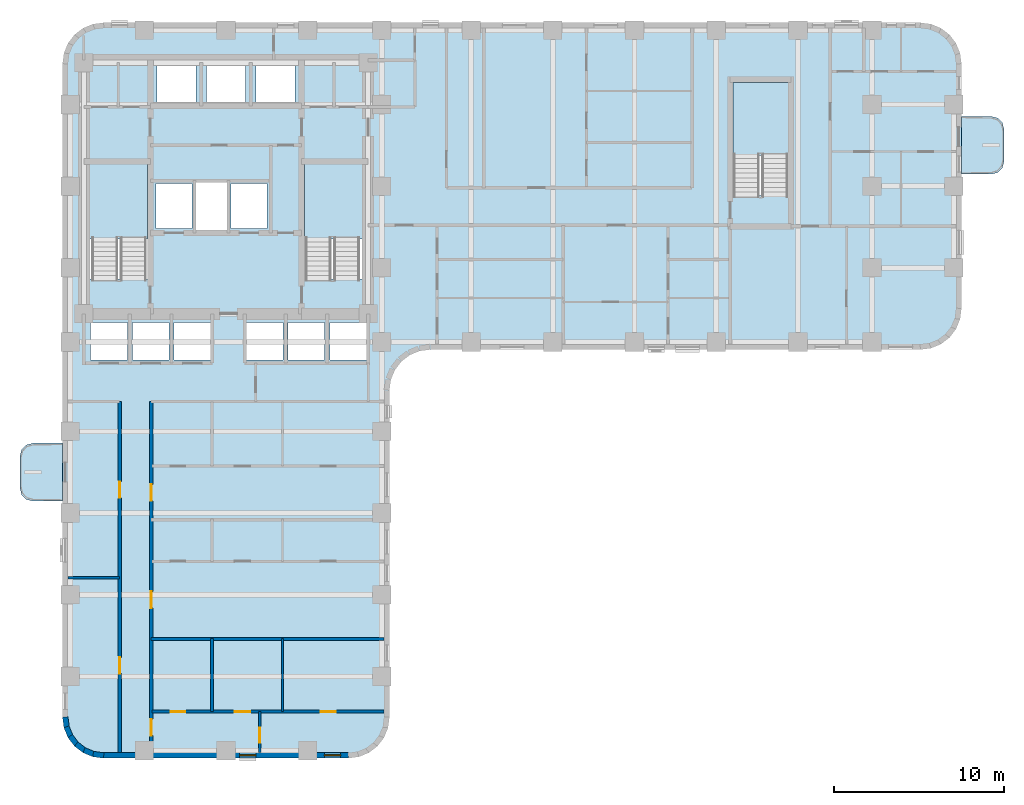
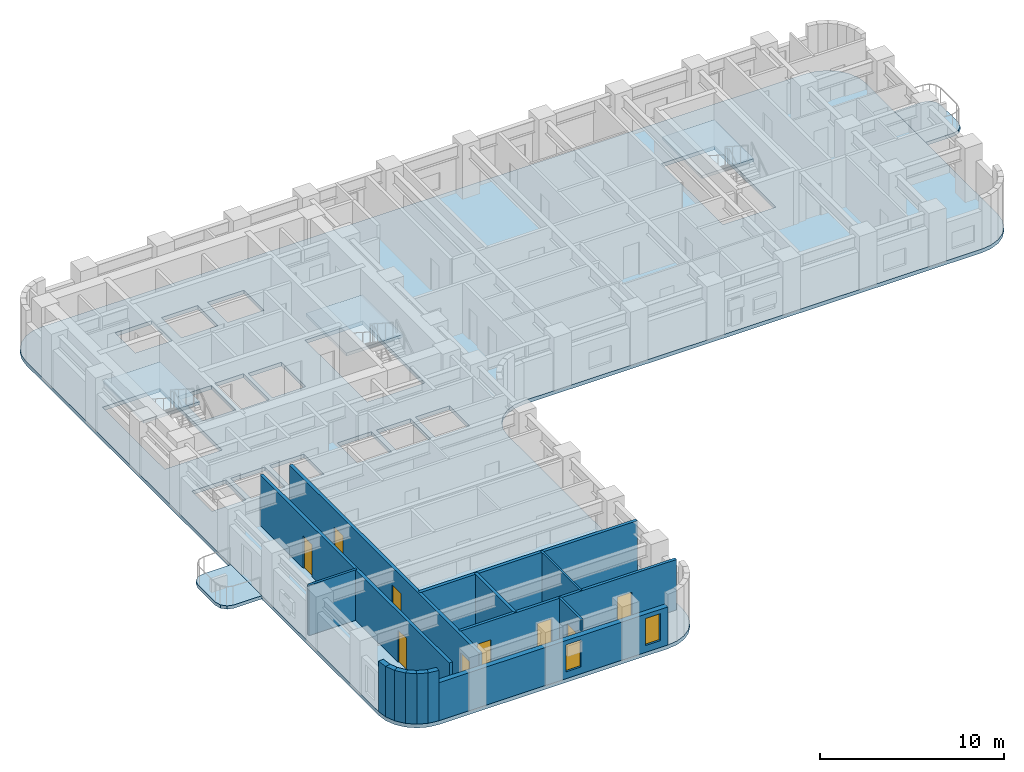
# One storey, part 2 of 10: 15 walls, 9 doors, 6 slabs, 2 windows, 11 openings, 3 elements without a shape of their own.
"""IFC4 building model written with IfcOpenShell, lengths in metres."""

from ifc_helpers import new_model, si_unit, direction, frame, frame_2d, origin, place, context, subcontext, project, spatial, polyline, rectangle, outline, extrude, material, layer, layer_set, type_object, element, fill, aggregate, save


model = new_model("IFC4")

# Units and contexts
model_context = context("Model", 3, precision=1e-05, world=origin(), true_north=direction((0.0, 1.0)))
body_context = subcontext(model_context, "Body", "Model", "MODEL_VIEW")
ifc_project = project(units=[si_unit("LENGTHUNIT", "METRE"), si_unit("AREAUNIT", "SQUARE_METRE"), si_unit("VOLUMEUNIT", "CUBIC_METRE"), si_unit("PLANEANGLEUNIT", "RADIAN"), si_unit("MASSUNIT", "GRAM", prefix="KILO")], contexts=[model_context])

# Site, building, storey
site_placement = place(None, origin())
site = spatial("IfcSite", under=ifc_project, at=site_placement, CompositionType="ELEMENT")
building_placement = place(site_placement, origin())
building = spatial("IfcBuilding", under=site, at=building_placement, Name="Orvandelia Arch Residences", CompositionType="ELEMENT")
storey_placement = place(building_placement, frame((0.0, 0.0, 75.39990234375)))
storey = spatial("IfcBuildingStorey", under=building, at=storey_placement, Name="L19", CompositionType="ELEMENT", Elevation=75.39990234375)

# Slabs
ifc_material_1 = material(Name="Precast concrete C40/50", Category="concrete")
ifc_layer_1 = layer(ifc_material_1, 0.219970703125, Name="Precast concrete C40/50", Category="concrete")
ifc_layer_set_1 = layer_set([ifc_layer_1], Name="Precast concrete C40/50")
slab_type_1 = type_object("IfcSlabType", Name="SLB-BAL-220", PredefinedType="USERDEFINED", material=ifc_layer_set_1)
slab_1_placement = place(storey_placement, frame((0.0, 0.0, -0.219970703125)))
element("IfcSlab", 1, at=slab_1_placement, inside=storey, type_object=slab_type_1, Name="Tree Balcony Cantilever Slab BAL-L19-W1", ObjectType="BALCONY", PredefinedType="USERDEFINED", context=body_context, shape_type="SweptSolid", body=[
    extrude(outline(polyline([(4.800048828125, 19.89990234375), (4.800048828125, 23.300048828125), (3.050048828125, 23.300048828125), (2.675048828125, 23.199462890625), (2.400390625, 22.925048828125), (2.300048828125, 22.550048828125), (2.300048828125, 20.64990234375), (2.400390625, 20.27490234375), (2.675048828125, 20.00048828125), (3.050048828125, 19.89990234375), (4.800048828125, 19.89990234375)])), origin(), (0.0, 0.0, 1.0), 0.219970703125),
])
slab_2_placement = place(storey_placement, frame((0.0, 0.0, -0.219970703125)))
element("IfcSlab", 2, at=slab_2_placement, inside=storey, type_object=slab_type_1, Name="Tree Balcony Cantilever Slab BAL-L19-E1", ObjectType="BALCONY", PredefinedType="USERDEFINED", context=body_context, shape_type="SweptSolid", body=[
    extrude(outline(polyline([(57.60009765625, 42.5), (57.60009765625, 39.10009765625), (59.35009765625, 39.10009765625), (59.72509765625, 39.200439453125), (59.99951171875, 39.47509765625), (60.10009765625, 39.85009765625), (60.10009765625, 41.75), (59.99951171875, 42.125), (59.72509765625, 42.3994140625), (59.35009765625, 42.5), (57.60009765625, 42.5)])), origin(), (0.0, 0.0, 1.0), 0.219970703125),
])

# Stair, slab
ifc_material_2 = material(Name="Concrete C40/50", Category="concrete")
stair_type = type_object("IfcStairType", Name="STAIR-RC-DOGLEG", PredefinedType="HALF_TURN_STAIR", material=ifc_material_2)
stair_1_placement = place(storey_placement, origin())
stair_1 = element("IfcStair", 3, at=stair_1_placement, inside=storey, type_object=stair_type, Name="L19 Protected Exit Stair ST-1", PredefinedType="HALF_TURN_STAIR")
ifc_layer_2 = layer(ifc_material_2, 0.219970703125, Name="Concrete C40/50", Category="concrete")
ifc_layer_set_2 = layer_set([ifc_layer_2], Name="Concrete C40/50")
slab_type_2 = type_object("IfcSlabType", Name="SLB-LANDING-220", PredefinedType="LANDING", material=ifc_layer_set_2)
slab_3_placement = place(storey_placement, frame((0.0, 0.0, 1.60009765625)))
slab_3 = element("IfcSlab", 4, at=slab_3_placement, type_object=slab_type_2, Name="ST-1 landing 1", PredefinedType="LANDING", context=body_context, shape_type="SweptSolid", body=[
    extrude(outline(polyline([(9.800048828125, 35.31005859375), (9.800048828125, 39.68994140625), (6.260009765625, 39.68994140625), (6.260009765625, 35.31005859375), (9.800048828125, 35.31005859375)])), origin(), (0.0, 0.0, 1.0), 0.199951171875),
])
aggregate(stair_1, [slab_3])

stair_2_placement = place(storey_placement, origin())
stair_2 = element("IfcStair", 5, at=stair_2_placement, inside=storey, type_object=stair_type, Name="L19 Protected Exit Stair ST-2", PredefinedType="HALF_TURN_STAIR")
slab_4_placement = place(storey_placement, frame((0.0, 0.0, 1.60009765625)))
slab_4 = element("IfcSlab", 6, at=slab_4_placement, type_object=slab_type_2, Name="ST-2 landing 1", PredefinedType="LANDING", context=body_context, shape_type="SweptSolid", body=[
    extrude(outline(polyline([(22.5400390625, 35.31005859375), (22.5400390625, 39.68994140625), (19.0, 39.68994140625), (19.0, 35.31005859375), (22.5400390625, 35.31005859375)])), origin(), (0.0, 0.0, 1.0), 0.199951171875),
])
aggregate(stair_2, [slab_4])

stair_3_placement = place(storey_placement, origin())
stair_3 = element("IfcStair", 7, at=stair_3_placement, inside=storey, type_object=stair_type, Name="L19 East Wing Exit Stair ST-3", PredefinedType="HALF_TURN_STAIR")
slab_5_placement = place(storey_placement, frame((0.0, 0.0, 1.60009765625)))
slab_5 = element("IfcSlab", 8, at=slab_5_placement, type_object=slab_type_2, Name="ST-3 landing 1", PredefinedType="LANDING", context=body_context, shape_type="SweptSolid", body=[
    extrude(outline(polyline([(47.43994140625, 40.2099609375), (47.43994140625, 44.5), (44.179931640625, 44.5), (44.179931640625, 40.2099609375), (47.43994140625, 40.2099609375)])), origin(), (0.0, 0.0, 1.0), 0.199951171875),
])
aggregate(stair_3, [slab_5])

# Slab
ifc_layer_3 = layer(ifc_material_2, 0.25, Name="Concrete C40/50", Category="concrete")
ifc_layer_set_3 = layer_set([ifc_layer_3], Name="Concrete C40/50")
slab_type_3 = type_object("IfcSlabType", Name="SLB-TWR-250", PredefinedType="FLOOR", material=ifc_layer_set_3)
slab_6_placement = place(storey_placement, frame((0.0, 0.0, -0.25)))
element("IfcSlab", 9, at=slab_6_placement, inside=storey, type_object=slab_type_3, Name="Structural Floor Slab L19-1", PredefinedType="FLOOR", context=body_context, shape_type="SweptSolid", body=[
    extrude(outline(polyline([(4.800048828125, 7.199951171875), (4.8818359375, 6.578857421875), (5.12158203125, 6.0), (5.5029296875, 5.5029296875), (6.0, 5.12158203125), (6.578857421875, 4.8818359375), (7.199951171875, 4.800048828125), (21.60009765625, 4.800048828125), (22.22119140625, 4.8818359375), (22.800048828125, 5.12158203125), (23.297119140625, 5.5029296875), (23.678466796875, 6.0), (23.918212890625, 6.578857421875), (24.0, 7.199951171875), (24.0, 26.39990234375), (24.081787109375, 27.021240234375), (24.321533203125, 27.60009765625), (24.702880859375, 28.09716796875), (25.199951171875, 28.478515625), (25.77880859375, 28.71826171875), (26.39990234375, 28.800048828125), (55.199951171875, 28.800048828125), (55.8212890625, 28.8818359375), (56.39990234375, 29.12158203125), (56.897216796875, 29.5029296875), (57.278564453125, 30.0), (57.518310546875, 30.578857421875), (57.60009765625, 31.199951171875), (57.60009765625, 45.60009765625), (57.518310546875, 46.22119140625), (57.278564453125, 46.800048828125), (56.897216796875, 47.297119140625), (56.39990234375, 47.678466796875), (55.8212890625, 47.918212890625), (55.199951171875, 48.0), (7.199951171875, 48.0), (6.578857421875, 47.918212890625), (6.0, 47.678466796875), (5.5029296875, 47.297119140625), (5.12158203125, 46.800048828125), (4.8818359375, 46.22119140625), (4.800048828125, 45.60009765625), (4.800048828125, 7.199951171875)]), holes=[polyline([(6.219970703125, 32.949951171875), (9.840087890625, 32.949951171875), (9.840087890625, 39.72998046875), (6.219970703125, 39.72998046875), (6.219970703125, 32.949951171875)]), polyline([(18.9599609375, 32.949951171875), (22.580078125, 32.949951171875), (22.580078125, 39.72998046875), (18.9599609375, 39.72998046875), (18.9599609375, 32.949951171875)]), polyline([(44.139892578125, 37.85009765625), (47.47998046875, 37.85009765625), (47.47998046875, 44.5400390625), (44.139892578125, 44.5400390625), (44.139892578125, 37.85009765625)]), polyline([(12.639892578125, 35.81005859375), (14.4599609375, 35.81005859375), (14.4599609375, 38.639892578125), (12.639892578125, 38.639892578125), (12.639892578125, 35.81005859375)]), polyline([(10.300048828125, 35.89990234375), (12.39990234375, 35.89990234375), (12.39990234375, 38.550048828125), (10.300048828125, 38.550048828125), (10.300048828125, 35.89990234375)]), polyline([(14.699951171875, 35.89990234375), (16.800048828125, 35.89990234375), (16.800048828125, 38.550048828125), (14.699951171875, 38.550048828125), (14.699951171875, 35.89990234375)]), polyline([(10.35009765625, 43.300048828125), (12.64990234375, 43.300048828125), (12.64990234375, 45.5), (10.35009765625, 45.5), (10.35009765625, 43.300048828125)]), polyline([(13.25, 43.300048828125), (15.550048828125, 43.300048828125), (15.550048828125, 45.5), (13.25, 45.5), (13.25, 43.300048828125)]), polyline([(16.14990234375, 43.300048828125), (18.449951171875, 43.300048828125), (18.449951171875, 45.5), (16.14990234375, 45.5), (16.14990234375, 43.300048828125)]), polyline([(6.449951171875, 28.199951171875), (8.60009765625, 28.199951171875), (8.60009765625, 30.39990234375), (6.449951171875, 30.39990234375), (6.449951171875, 28.199951171875)]), polyline([(8.89990234375, 28.199951171875), (11.050048828125, 28.199951171875), (11.050048828125, 30.39990234375), (8.89990234375, 30.39990234375), (8.89990234375, 28.199951171875)]), polyline([(11.35009765625, 28.199951171875), (13.5, 28.199951171875), (13.5, 30.39990234375), (11.35009765625, 30.39990234375), (11.35009765625, 28.199951171875)]), polyline([(15.60009765625, 28.199951171875), (17.75, 28.199951171875), (17.75, 30.39990234375), (15.60009765625, 30.39990234375), (15.60009765625, 28.199951171875)]), polyline([(18.050048828125, 28.199951171875), (20.199951171875, 28.199951171875), (20.199951171875, 30.39990234375), (18.050048828125, 30.39990234375), (18.050048828125, 28.199951171875)]), polyline([(20.5, 28.199951171875), (22.64990234375, 28.199951171875), (22.64990234375, 30.39990234375), (20.5, 30.39990234375), (20.5, 28.199951171875)])]), origin(), (0.0, 0.0, 1.0), 0.25),
])

# Wall, openings, doors
ifc_material_3 = material(Name="Fire-Rated Corridor Partition")
ifc_layer_4 = layer(ifc_material_3, 0.199951171875, Name="Fire-Rated Corridor Partition")
ifc_layer_set_4 = layer_set([ifc_layer_4], Name="Fire-Rated Corridor Partition")
wall_type_1 = type_object("IfcWallType", Name="WL-CORR-200", PredefinedType="PARTITIONING", material=ifc_layer_set_4)
wall_1_placement = place(storey_placement, frame((8.14990234375, 5.1201171875, 0.0), z_axis=(0.0, 0.0, 1.0), x_axis=(0.0, 1.0, 0.0)))
wall_1 = element("IfcWall", 10, at=wall_1_placement, inside=storey, type_object=wall_type_1, Name="Interior Partition Wall WL-L19-WC-W", PredefinedType="PARTITIONING", context=body_context, shape_type="SweptSolid", body=[
    extrude(rectangle(XDim=20.6298828125, YDim=0.199951171875, at=frame_2d((10.31494140625, 0.0))), origin(), (0.0, 0.0, 1.0), 3.35009765625),
])
opening_1_placement = place(wall_1_placement, frame((4.64990234375, 0.0, 0.0)))
opening_1 = element("IfcOpeningElement", 11, at=opening_1_placement, cuts=wall_1, Name="Opening D2", PredefinedType="OPENING", context=body_context, shape_type="SweptSolid", body=[
    extrude(rectangle(XDim=0.949951171875, YDim=2.14990234375, at=frame_2d((0.47509765625, 1.074951171875))), frame((0.0, 0.10986328125, 0.0), z_axis=(0.0, -1.0, 0.0), x_axis=(1.0, 0.0, 0.0)), (0.0, 0.0, 1.0), 0.219970703125),
])
opening_2_placement = place(wall_1_placement, frame((14.969970703125, 0.0, 0.0)))
opening_2 = element("IfcOpeningElement", 12, at=opening_2_placement, cuts=wall_1, Name="Opening D2", PredefinedType="OPENING", context=body_context, shape_type="SweptSolid", body=[
    extrude(rectangle(XDim=0.949951171875, YDim=2.14990234375, at=frame_2d((0.47509765625, 1.074951171875))), frame((0.0, 0.10986328125, 0.0), z_axis=(0.0, -1.0, 0.0), x_axis=(1.0, 0.0, 0.0)), (0.0, 0.0, 1.0), 0.219970703125),
])
ifc_material_4 = material(Name="Solid-Core Timber Interior Fire Door", Category="wood")
door_type_1 = type_object("IfcDoorType", Name="DR-APT-950", OperationType="NOTDEFINED", PredefinedType="DOOR", material=ifc_material_4)
door_1_placement = place(opening_1_placement, origin())
door_1 = element("IfcDoor", 13, at=door_1_placement, inside=storey, type_object=door_type_1, Name="DR-L19-WGRM-1", OperationType="SINGLE_SWING_LEFT", OverallHeight=2.14990234375, OverallWidth=0.949951171875, PredefinedType="DOOR", context=body_context, shape_type="SweptSolid", body=[
    extrude(rectangle(XDim=0.949951171875, YDim=2.14990234375, at=frame_2d((0.47509765625, 1.074951171875))), frame((0.0, 0.02490234375, 0.0), z_axis=(0.0, -1.0, 0.0), x_axis=(1.0, 0.0, 0.0)), (0.0, 0.0, 1.0), 0.050048828125),
])
fill(opening_1, door_1)
door_2_placement = place(opening_2_placement, origin())
door_2 = element("IfcDoor", 14, at=door_2_placement, inside=storey, type_object=door_type_1, Name="DR-L19-WGRM-2", OperationType="SINGLE_SWING_RIGHT", OverallHeight=2.14990234375, OverallWidth=0.949951171875, PredefinedType="DOOR", context=body_context, shape_type="SweptSolid", body=[
    extrude(rectangle(XDim=0.949951171875, YDim=2.14990234375, at=frame_2d((0.47509765625, 1.074951171875))), frame((0.0, 0.02490234375, 0.0), z_axis=(0.0, -1.0, 0.0), x_axis=(1.0, 0.0, 0.0)), (0.0, 0.0, 1.0), 0.050048828125),
])
fill(opening_2, door_2)

wall_2_placement = place(storey_placement, frame((10.0, 5.1201171875, 0.0), z_axis=(0.0, 0.0, 1.0), x_axis=(0.0, 1.0, 0.0)))
wall_2 = element("IfcWall", 15, at=wall_2_placement, inside=storey, type_object=wall_type_1, Name="Interior Partition Wall WL-L19-WC-E", PredefinedType="PARTITIONING", context=body_context, shape_type="SweptSolid", body=[
    extrude(rectangle(XDim=20.6298828125, YDim=0.199951171875, at=frame_2d((10.31494140625, 0.0))), origin(), (0.0, 0.0, 1.0), 3.35009765625),
])
opening_3_placement = place(wall_2_placement, frame((0.998046875, 0.0, 0.0)))
opening_3 = element("IfcOpeningElement", 16, at=opening_3_placement, cuts=wall_2, Name="Opening D1", PredefinedType="OPENING", context=body_context, shape_type="SweptSolid", body=[
    extrude(rectangle(XDim=0.97998046875, YDim=2.179931640625, at=frame_2d((0.489990234375, 1.08984375))), frame((0.0, 0.10986328125, 0.0), z_axis=(0.0, -1.0, 0.0), x_axis=(1.0, 0.0, 0.0)), (0.0, 0.0, 1.0), 0.219970703125),
])
opening_4_placement = place(wall_2_placement, frame((8.490966796875, 0.0, 0.0)))
opening_4 = element("IfcOpeningElement", 17, at=opening_4_placement, cuts=wall_2, Name="Opening D1", PredefinedType="OPENING", context=body_context, shape_type="SweptSolid", body=[
    extrude(rectangle(XDim=0.97998046875, YDim=2.179931640625, at=frame_2d((0.489990234375, 1.08984375))), frame((0.0, 0.10986328125, 0.0), z_axis=(0.0, -1.0, 0.0), x_axis=(1.0, 0.0, 0.0)), (0.0, 0.0, 1.0), 0.219970703125),
])
opening_5_placement = place(wall_2_placement, frame((14.787109375, 0.0, 0.0)))
opening_5 = element("IfcOpeningElement", 18, at=opening_5_placement, cuts=wall_2, Name="Opening D1", PredefinedType="OPENING", context=body_context, shape_type="SweptSolid", body=[
    extrude(rectangle(XDim=0.97998046875, YDim=2.179931640625, at=frame_2d((0.489990234375, 1.08984375))), frame((0.0, 0.10986328125, 0.0), z_axis=(0.0, -1.0, 0.0), x_axis=(1.0, 0.0, 0.0)), (0.0, 0.0, 1.0), 0.219970703125),
])
ifc_material_5 = material(Name="Solid-Core Timber Acoustic Fire Door", Category="wood")
door_type_2 = type_object("IfcDoorType", Name="DR-ENT-980", OperationType="NOTDEFINED", PredefinedType="DOOR", material=ifc_material_5)
door_3_placement = place(opening_3_placement, origin())
door_3 = element("IfcDoor", 19, at=door_3_placement, inside=storey, type_object=door_type_2, Name="Unit L19-01 Entrance Door", OperationType="SINGLE_SWING_LEFT", OverallHeight=2.179931640625, OverallWidth=0.97998046875, PredefinedType="DOOR", context=body_context, shape_type="SweptSolid", body=[
    extrude(rectangle(XDim=0.97998046875, YDim=2.179931640625, at=frame_2d((0.489990234375, 1.08984375))), frame((0.0, 0.02490234375, 0.0), z_axis=(0.0, -1.0, 0.0), x_axis=(1.0, 0.0, 0.0)), (0.0, 0.0, 1.0), 0.050048828125),
])
fill(opening_3, door_3)
door_4_placement = place(opening_4_placement, origin())
door_4 = element("IfcDoor", 20, at=door_4_placement, inside=storey, type_object=door_type_2, Name="Unit L19-02 Entrance Door", OperationType="SINGLE_SWING_RIGHT", OverallHeight=2.179931640625, OverallWidth=0.97998046875, PredefinedType="DOOR", context=body_context, shape_type="SweptSolid", body=[
    extrude(rectangle(XDim=0.97998046875, YDim=2.179931640625, at=frame_2d((0.489990234375, 1.08984375))), frame((0.0, 0.02490234375, 0.0), z_axis=(0.0, -1.0, 0.0), x_axis=(1.0, 0.0, 0.0)), (0.0, 0.0, 1.0), 0.050048828125),
])
fill(opening_4, door_4)
door_5_placement = place(opening_5_placement, origin())
door_5 = element("IfcDoor", 21, at=door_5_placement, inside=storey, type_object=door_type_2, Name="Unit L19-03 Entrance Door", OperationType="SINGLE_SWING_LEFT", OverallHeight=2.179931640625, OverallWidth=0.97998046875, PredefinedType="DOOR", context=body_context, shape_type="SweptSolid", body=[
    extrude(rectangle(XDim=0.97998046875, YDim=2.179931640625, at=frame_2d((0.489990234375, 1.08984375))), frame((0.0, 0.02490234375, 0.0), z_axis=(0.0, -1.0, 0.0), x_axis=(1.0, 0.0, 0.0)), (0.0, 0.0, 1.0), 0.050048828125),
])
fill(opening_5, door_5)

# Wall
ifc_layer_5 = layer(ifc_material_2, 0.199951171875, Name="Concrete C40/50", Category="concrete")
ifc_layer_set_5 = layer_set([ifc_layer_5], Name="Concrete C40/50")
wall_type_2 = type_object("IfcWallType", Name="WL-DEM-200", PredefinedType="SOLIDWALL", material=ifc_layer_set_5)
wall_3_placement = place(storey_placement, frame((10.0, 11.800048828125, 0.0), z_axis=(0.0, 0.0, 1.0), x_axis=(1.0, 0.0, 0.0)))
element("IfcWall", 22, at=wall_3_placement, inside=storey, type_object=wall_type_2, Name="Interior Partition Wall WL-L19-DEM-WR-118", PredefinedType="SOLIDWALL", context=body_context, shape_type="SweptSolid", body=[
    extrude(rectangle(XDim=13.679931640625, YDim=0.199951171875, at=frame_2d((6.83984375, 0.0))), origin(), (0.0, 0.0, 1.0), 3.35009765625),
])

# Wall, openings, windows
ifc_layer_6 = layer(ifc_material_1, 0.320068359375, Name="Precast concrete C40/50", Category="concrete")
ifc_layer_set_6 = layer_set([ifc_layer_6], Name="Precast concrete C40/50")
wall_type_3 = type_object("IfcWallType", Name="WL-EXT-STONE-320", PredefinedType="STANDARD", material=ifc_layer_set_6)
wall_4_placement = place(storey_placement, frame((21.60009765625, 4.9599609375, 0.0), z_axis=(0.0, 0.0, 1.0), x_axis=(-1.0, 0.0, 0.0)))
wall_4 = element("IfcWall", 23, at=wall_4_placement, inside=storey, type_object=wall_type_3, Name="Coral-Limestone Precast Facade Wall L19-035", PredefinedType="STANDARD", context=body_context, shape_type="SweptSolid", body=[
    extrude(rectangle(XDim=14.400146484375, YDim=0.320068359375, at=frame_2d((7.2001953125, 0.0))), origin(), (0.0, 0.0, 1.0), 2.530029296875),
])
opening_6_placement = place(wall_4_placement, frame((5.450439453125, 0.0, 0.449951171875)))
opening_6 = element("IfcOpeningElement", 24, at=opening_6_placement, cuts=wall_4, Name="Opening W4", PredefinedType="OPENING", context=body_context, shape_type="SweptSolid", body=[
    extrude(rectangle(XDim=0.949951171875, YDim=1.800048828125, at=frame_2d((0.47509765625, 0.89990234375))), frame((0.0, 0.169921875, 0.0), z_axis=(0.0, -1.0, 0.0), x_axis=(1.0, 0.0, 0.0)), (0.0, 0.0, 1.0), 0.340087890625),
])
opening_7_placement = place(wall_4_placement, frame((0.469970703125, 0.0, 0.449951171875)))
opening_7 = element("IfcOpeningElement", 25, at=opening_7_placement, cuts=wall_4, Name="Opening W4", PredefinedType="OPENING", context=body_context, shape_type="SweptSolid", body=[
    extrude(rectangle(XDim=0.949951171875, YDim=1.800048828125, at=frame_2d((0.47509765625, 0.89990234375))), frame((0.0, 0.169921875, 0.0), z_axis=(0.0, -1.0, 0.0), x_axis=(1.0, 0.0, 0.0)), (0.0, 0.0, 1.0), 0.340087890625),
])
ifc_material_6 = material(Name="Tempered Low-E Insulated Glazing", Category="glass")
window_type = type_object("IfcWindowType", Name="WIN-RES-0950x1800", PartitioningType="SINGLE_PANEL", PredefinedType="WINDOW", material=ifc_material_6)
window_1_placement = place(opening_6_placement, origin())
window_1 = element("IfcWindow", 26, at=window_1_placement, inside=storey, type_object=window_type, Name="Recessed Punched Window L19-024", OverallHeight=1.800048828125, OverallWidth=0.949951171875, PartitioningType="SINGLE_PANEL", PredefinedType="WINDOW", context=body_context, shape_type="SweptSolid", body=[
    extrude(rectangle(XDim=0.949951171875, YDim=1.800048828125, at=frame_2d((0.47509765625, 0.89990234375))), frame((0.0, 0.030029296875, 0.0), z_axis=(0.0, -1.0, 0.0), x_axis=(1.0, 0.0, 0.0)), (0.0, 0.0, 1.0), 0.06005859375),
])
fill(opening_6, window_1)
window_2_placement = place(opening_7_placement, origin())
window_2 = element("IfcWindow", 27, at=window_2_placement, inside=storey, type_object=window_type, Name="Recessed Punched Window L19-025", OverallHeight=1.800048828125, OverallWidth=0.949951171875, PartitioningType="SINGLE_PANEL", PredefinedType="WINDOW", context=body_context, shape_type="SweptSolid", body=[
    extrude(rectangle(XDim=0.949951171875, YDim=1.800048828125, at=frame_2d((0.47509765625, 0.89990234375))), frame((0.0, 0.030029296875, 0.0), z_axis=(0.0, -1.0, 0.0), x_axis=(1.0, 0.0, 0.0)), (0.0, 0.0, 1.0), 0.06005859375),
])
fill(opening_7, window_2)

# Walls
wall_5_placement = place(storey_placement, frame((7.220947265625, 4.95849609375, 0.0), z_axis=(0.0, 0.0, 1.0), x_axis=(-0.991447664465, 0.130504898859, 0.0)))
element("IfcWall", 28, at=wall_5_placement, inside=storey, type_object=wall_type_3, Name="Coral-Limestone Precast Facade Wall L19-036", PredefinedType="STANDARD", context=body_context, shape_type="SweptSolid", body=[
    extrude(rectangle(XDim=0.626708984375, YDim=0.320068359375, at=frame_2d((0.3134765625, 0.0))), origin(), (0.0, 0.0, 1.0), 3.35009765625),
])
wall_6_placement = place(storey_placement, frame((6.639892578125, 5.029541015625, 0.0), z_axis=(0.0, 0.0, 1.0), x_axis=(-0.923836271867, 0.382787856107, 0.0)))
element("IfcWall", 29, at=wall_6_placement, inside=storey, type_object=wall_type_3, Name="Coral-Limestone Precast Facade Wall L19-037", PredefinedType="STANDARD", context=body_context, shape_type="SweptSolid", body=[
    extrude(rectangle(XDim=0.626220703125, YDim=0.320068359375, at=frame_2d((0.31298828125, 0.0))), origin(), (0.0, 0.0, 1.0), 3.35009765625),
])
for number, where, z_axis, x_axis, name in (
    (30, (6.097412109375, 5.248291015625, 0.0), (0.0, 0.0, 1.0), (-0.7932174212, 0.608938521285, 0.0), "Coral-Limestone Precast Facade Wall L19-038"),
    (31, (5.6298828125, 5.600341796875, 0.0), (0.0, 0.0, 1.0), (-0.608938521285, 0.7932174212, 0.0), "Coral-Limestone Precast Facade Wall L19-039"),
):
    element("IfcWall", number, at=place(storey_placement, frame(where, z_axis=z_axis, x_axis=x_axis)), inside=storey, type_object=wall_type_3, Name=name, PredefinedType="STANDARD", context=body_context, shape_type="SweptSolid", body=[
        extrude(rectangle(XDim=0.626708984375, YDim=0.320068359375, at=frame_2d((0.3134765625, 0.0))), origin(), (0.0, 0.0, 1.0), 3.35009765625),
    ])
wall_7_placement = place(storey_placement, frame((5.269287109375, 6.061279296875, 0.0), z_axis=(0.0, 0.0, 1.0), x_axis=(-0.382787856107, 0.923836271867, 0.0)))
element("IfcWall", 32, at=wall_7_placement, inside=storey, type_object=wall_type_3, Name="Coral-Limestone Precast Facade Wall L19-040", PredefinedType="STANDARD", context=body_context, shape_type="SweptSolid", body=[
    extrude(rectangle(XDim=0.626220703125, YDim=0.320068359375, at=frame_2d((0.31298828125, 0.0))), origin(), (0.0, 0.0, 1.0), 3.35009765625),
])
wall_8_placement = place(storey_placement, frame((5.040283203125, 6.599609375, 0.0), z_axis=(0.0, 0.0, 1.0), x_axis=(-0.130504898859, 0.991447664465, 0.0)))
element("IfcWall", 33, at=wall_8_placement, inside=storey, type_object=wall_type_3, Name="Coral-Limestone Precast Facade Wall L19-041", PredefinedType="STANDARD", context=body_context, shape_type="SweptSolid", body=[
    extrude(rectangle(XDim=0.626708984375, YDim=0.320068359375, at=frame_2d((0.3134765625, 0.0))), origin(), (0.0, 0.0, 1.0), 3.35009765625),
])
ifc_material_7 = material(Name="Lightweight Gypsum Stud Partition")
ifc_layer_7 = layer(ifc_material_7, 0.1201171875, Name="Lightweight Gypsum Stud Partition")
ifc_layer_set_7 = layer_set([ifc_layer_7], Name="Lightweight Gypsum Stud Partition")
wall_type_4 = type_object("IfcWallType", Name="WL-PART-120", PredefinedType="PARTITIONING", material=ifc_layer_set_7)
wall_9_placement = place(storey_placement, frame((17.720947265625, 7.535888671875, 0.0), z_axis=(0.0, 0.0, 1.0), x_axis=(0.0, 1.0, 0.0)))
element("IfcWall", 34, at=wall_9_placement, inside=storey, type_object=wall_type_4, Name="Interior Partition Wall WL-L19-U01-V2", PredefinedType="PARTITIONING", context=body_context, shape_type="SweptSolid", body=[
    extrude(rectangle(XDim=4.30419921875, YDim=0.1201171875, at=frame_2d((2.152099609375, 0.0))), origin(), (0.0, 0.0, 1.0), 3.35009765625),
])

# Wall, opening, door
ifc_material_8 = material(Name="Double-Layer Acoustic Gypsum Partition")
ifc_layer_8 = layer(ifc_material_8, 0.135009765625, Name="Double-Layer Acoustic Gypsum Partition")
ifc_layer_set_8 = layer_set([ifc_layer_8], Name="Double-Layer Acoustic Gypsum Partition")
wall_type_5 = type_object("IfcWallType", Name="WL-PART-135", PredefinedType="PARTITIONING", material=ifc_layer_set_8)
wall_10_placement = place(storey_placement, frame((16.37890625, 5.1201171875, 0.0), z_axis=(0.0, 0.0, 1.0), x_axis=(0.0, 1.0, 0.0)))
wall_10 = element("IfcWall", 35, at=wall_10_placement, inside=storey, type_object=wall_type_5, Name="Interior Partition Wall WL-L19-U01-DIN", PredefinedType="PARTITIONING", context=body_context, shape_type="SweptSolid", body=[
    extrude(rectangle(XDim=2.415771484375, YDim=0.135009765625, at=frame_2d((1.2080078125, 0.0))), origin(), (0.0, 0.0, 1.0), 3.35009765625),
])
opening_8_placement = place(wall_10_placement, frame((0.580078125, 0.0, 0.0)))
opening_8 = element("IfcOpeningElement", 36, at=opening_8_placement, cuts=wall_10, Name="Opening D3", PredefinedType="OPENING", context=body_context, shape_type="SweptSolid", body=[
    extrude(rectangle(XDim=0.89990234375, YDim=2.14990234375, at=frame_2d((0.449951171875, 1.074951171875))), frame((0.0, 0.07763671875, 0.0), z_axis=(0.0, -1.0, 0.0), x_axis=(1.0, 0.0, 0.0)), (0.0, 0.0, 1.0), 0.155029296875),
])
ifc_material_9 = material(Name="Engineered Timber Flush Door", Category="wood")
door_type_3 = type_object("IfcDoorType", Name="DR-INT-900", OperationType="NOTDEFINED", PredefinedType="DOOR", material=ifc_material_9)
door_6_placement = place(opening_8_placement, origin())
door_6 = element("IfcDoor", 37, at=door_6_placement, inside=storey, type_object=door_type_3, Name="DR-L19-U01-DIN", OperationType="SINGLE_SWING_RIGHT", OverallHeight=2.14990234375, OverallWidth=0.89990234375, PredefinedType="DOOR", context=body_context, shape_type="SweptSolid", body=[
    extrude(rectangle(XDim=0.89990234375, YDim=2.14990234375, at=frame_2d((0.449951171875, 1.074951171875))), frame((0.0, 0.02490234375, 0.0), z_axis=(0.0, -1.0, 0.0), x_axis=(1.0, 0.0, 0.0)), (0.0, 0.0, 1.0), 0.050048828125),
])
fill(opening_8, door_6)

# Wall
ifc_material_10 = material(Name="Acoustic Gypsum Stud Partition")
ifc_layer_9 = layer(ifc_material_10, 0.14990234375, Name="Acoustic Gypsum Stud Partition")
ifc_layer_set_9 = layer_set([ifc_layer_9], Name="Acoustic Gypsum Stud Partition")
wall_type_6 = type_object("IfcWallType", Name="WL-PART-150", PredefinedType="PARTITIONING", material=ifc_layer_set_9)
wall_11_placement = place(storey_placement, frame((5.1201171875, 15.39990234375, 0.0), z_axis=(0.0, 0.0, 1.0), x_axis=(1.0, 0.0, 0.0)))
element("IfcWall", 38, at=wall_11_placement, inside=storey, type_object=wall_type_6, Name="Interior Partition Wall WL-L19-WGDIV-1", PredefinedType="PARTITIONING", context=body_context, shape_type="SweptSolid", body=[
    extrude(rectangle(XDim=3.02978515625, YDim=0.14990234375, at=frame_2d((1.514892578125, 0.0))), origin(), (0.0, 0.0, 1.0), 3.35009765625),
])

# Wall, openings, doors
ifc_material_11 = material(Name="Moisture-Resistant Plumbing Wall")
ifc_layer_10 = layer(ifc_material_11, 0.179931640625, Name="Moisture-Resistant Plumbing Wall")
ifc_layer_set_10 = layer_set([ifc_layer_10], Name="Moisture-Resistant Plumbing Wall")
wall_type_7 = type_object("IfcWallType", Name="WL-WET-180", PredefinedType="PLUMBINGWALL", material=ifc_layer_set_10)
wall_12_placement = place(storey_placement, frame((10.06005859375, 7.535888671875, 0.0), z_axis=(0.0, 0.0, 1.0), x_axis=(1.0, 0.0, 0.0)))
wall_12 = element("IfcWall", 39, at=wall_12_placement, inside=storey, type_object=wall_type_7, Name="Interior Partition Wall WL-L19-U01-HZ", PredefinedType="PLUMBINGWALL", context=body_context, shape_type="SweptSolid", body=[
    extrude(rectangle(XDim=13.619873046875, YDim=0.179931640625, at=frame_2d((6.81005859375, 0.0))), origin(), (0.0, 0.0, 1.0), 3.35009765625),
])
opening_9_placement = place(wall_12_placement, frame((1.0908203125, 0.0, 0.0)))
opening_9 = element("IfcOpeningElement", 40, at=opening_9_placement, cuts=wall_12, Name="Opening D4", PredefinedType="OPENING", context=body_context, shape_type="SweptSolid", body=[
    extrude(rectangle(XDim=0.860107421875, YDim=2.10009765625, at=frame_2d((0.43017578125, 1.050048828125))), frame((0.0, 0.10009765625, 0.0), z_axis=(0.0, -1.0, 0.0), x_axis=(1.0, 0.0, 0.0)), (0.0, 0.0, 1.0), 0.199951171875),
])
opening_10_placement = place(wall_12_placement, frame((4.8681640625, 0.0, 0.0)))
opening_10 = element("IfcOpeningElement", 41, at=opening_10_placement, cuts=wall_12, Name="Opening D3", PredefinedType="OPENING", context=body_context, shape_type="SweptSolid", body=[
    extrude(rectangle(XDim=0.89990234375, YDim=2.14990234375, at=frame_2d((0.449951171875, 1.074951171875))), frame((0.0, 0.10009765625, 0.0), z_axis=(0.0, -1.0, 0.0), x_axis=(1.0, 0.0, 0.0)), (0.0, 0.0, 1.0), 0.199951171875),
])
opening_11_placement = place(wall_12_placement, frame((9.897216796875, 0.0, 0.0)))
opening_11 = element("IfcOpeningElement", 42, at=opening_11_placement, cuts=wall_12, Name="Opening D3", PredefinedType="OPENING", context=body_context, shape_type="SweptSolid", body=[
    extrude(rectangle(XDim=0.89990234375, YDim=2.14990234375, at=frame_2d((0.449951171875, 1.074951171875))), frame((0.0, 0.10009765625, 0.0), z_axis=(0.0, -1.0, 0.0), x_axis=(1.0, 0.0, 0.0)), (0.0, 0.0, 1.0), 0.199951171875),
])
door_7_placement = place(opening_10_placement, origin())
door_7 = element("IfcDoor", 43, at=door_7_placement, inside=storey, type_object=door_type_3, Name="DR-L19-U01-KIT", OperationType="SINGLE_SWING_LEFT", OverallHeight=2.14990234375, OverallWidth=0.89990234375, PredefinedType="DOOR", context=body_context, shape_type="SweptSolid", body=[
    extrude(rectangle(XDim=0.89990234375, YDim=2.14990234375, at=frame_2d((0.449951171875, 1.074951171875))), frame((0.0, 0.02490234375, 0.0), z_axis=(0.0, -1.0, 0.0), x_axis=(1.0, 0.0, 0.0)), (0.0, 0.0, 1.0), 0.050048828125),
])
fill(opening_10, door_7)
door_8_placement = place(opening_11_placement, origin())
door_8 = element("IfcDoor", 44, at=door_8_placement, inside=storey, type_object=door_type_3, Name="DR-L19-U01-BD1", OperationType="SINGLE_SWING_RIGHT", OverallHeight=2.14990234375, OverallWidth=0.89990234375, PredefinedType="DOOR", context=body_context, shape_type="SweptSolid", body=[
    extrude(rectangle(XDim=0.89990234375, YDim=2.14990234375, at=frame_2d((0.449951171875, 1.074951171875))), frame((0.0, 0.02490234375, 0.0), z_axis=(0.0, -1.0, 0.0), x_axis=(1.0, 0.0, 0.0)), (0.0, 0.0, 1.0), 0.050048828125),
])
fill(opening_11, door_8)
ifc_material_12 = material(Name="Moisture-Sealed Timber Bathroom Door", Category="wood")
door_type_4 = type_object("IfcDoorType", Name="DR-WET-900", OperationType="NOTDEFINED", PredefinedType="DOOR", material=ifc_material_12)
door_9_placement = place(opening_9_placement, origin())
door_9 = element("IfcDoor", 45, at=door_9_placement, inside=storey, type_object=door_type_4, Name="DR-L19-U01-BTH", OperationType="SINGLE_SWING_RIGHT", OverallHeight=2.10009765625, OverallWidth=0.860107421875, PredefinedType="DOOR", context=body_context, shape_type="SweptSolid", body=[
    extrude(rectangle(XDim=0.860107421875, YDim=2.10009765625, at=frame_2d((0.43017578125, 1.050048828125))), frame((0.0, 0.02490234375, 0.0), z_axis=(0.0, -1.0, 0.0), x_axis=(1.0, 0.0, 0.0)), (0.0, 0.0, 1.0), 0.050048828125),
])
fill(opening_9, door_9)

# Wall
wall_13_placement = place(storey_placement, frame((13.583984375, 7.535888671875, 0.0), z_axis=(0.0, 0.0, 1.0), x_axis=(0.0, 1.0, 0.0)))
element("IfcWall", 46, at=wall_13_placement, inside=storey, type_object=wall_type_7, Name="Interior Partition Wall WL-L19-U01-V1", PredefinedType="PLUMBINGWALL", context=body_context, shape_type="SweptSolid", body=[
    extrude(rectangle(XDim=4.30419921875, YDim=0.179931640625, at=frame_2d((2.152099609375, 0.0))), origin(), (0.0, 0.0, 1.0), 3.35009765625),
])

save(model, "model.ifc")
